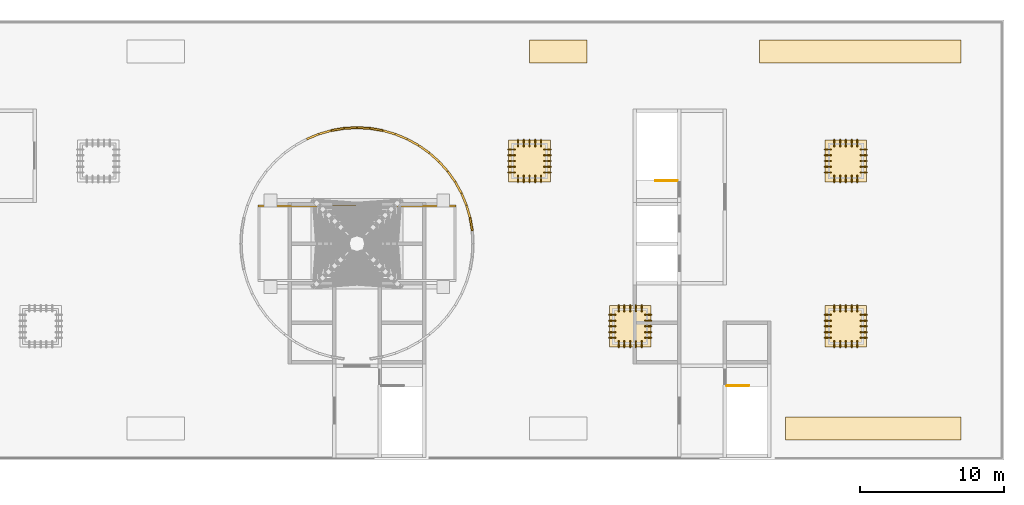
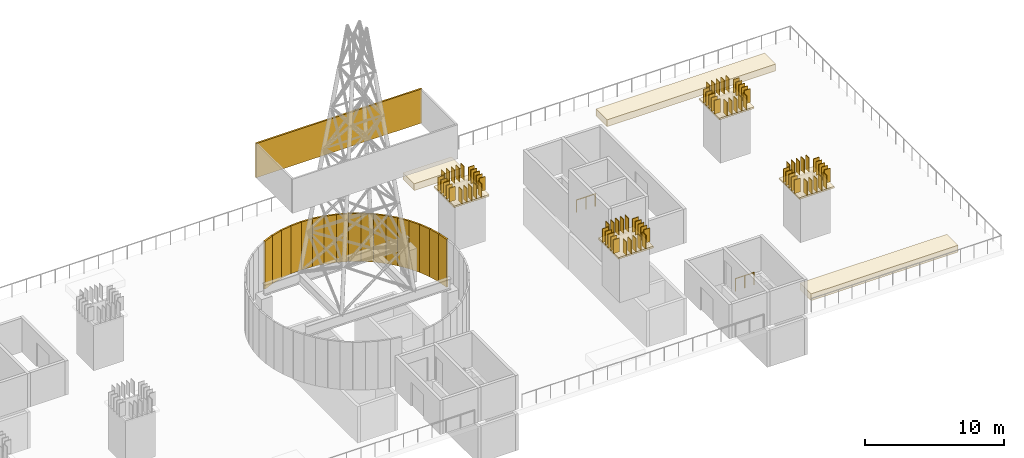
# One storey, part 8 of 8: 105 coverings, 2 railings.
"""IFC4 building model written with IfcOpenShell, lengths in metres."""

from ifc_helpers import new_model, si_unit, direction, frame, origin, origin_2d, place, context, subcontext, project, spatial, polyline, rectangle, circle, outline, extrude, material, layer, layer_set, type_object, element, save


model = new_model("IFC4")

# Units and contexts
model_context = context("Model", 3, precision=1e-05, world=origin(), true_north=direction((0.0, 1.0)))
body_context = subcontext(model_context, "Body", "Model", "MODEL_VIEW")
ifc_project = project(units=[si_unit("LENGTHUNIT", "METRE"), si_unit("AREAUNIT", "SQUARE_METRE"), si_unit("VOLUMEUNIT", "CUBIC_METRE"), si_unit("PLANEANGLEUNIT", "RADIAN"), si_unit("MASSUNIT", "GRAM", prefix="KILO")], contexts=[model_context])

# Site, building, storey
site_placement = place(None, origin())
site = spatial("IfcSite", under=ifc_project, at=site_placement, CompositionType="ELEMENT")
building_placement = place(site_placement, origin())
building = spatial("IfcBuilding", under=site, at=building_placement, Name="Mahtab Terrace Research Tower", CompositionType="ELEMENT")
storey_placement = place(building_placement, frame((0.0, 0.0, 289.699951171875)))
storey = spatial("IfcBuildingStorey", under=building, at=storey_placement, Name="L70", CompositionType="ELEMENT", Elevation=289.699951171875)

# Coverings
ifc_material_1 = material(Name="Badgir blade aluminium", Category="aluminium")
ifc_layer_1 = layer(ifc_material_1, 0.06005859375)
ifc_layer_set_1 = layer_set([ifc_layer_1], Name="Badgir cap blade 60")
covering_type_1 = type_object("IfcCoveringType", Name="Badgir cap blade 60", PredefinedType="CLADDING", material=ifc_layer_set_1)
for number, where, z_axis, x_axis, name in (
    (1, (20.25, -0.800048828125, 4.14990234375), (0.0, 0.0, 1.0), (1.0, 0.0, 0.0), "Badgir cap blade 5"),
    (2, (20.25, -0.39990234375, 4.14990234375), (0.0, 0.0, 1.0), (1.0, 0.0, 0.0), "Badgir cap blade 5"),
    (3, (20.25, 0.0, 4.14990234375), (0.0, 0.0, 1.0), (1.0, 0.0, 0.0), "Badgir cap blade 5"),
    (4, (20.25, 0.39990234375, 4.14990234375), (0.0, 0.0, 1.0), (1.0, 0.0, 0.0), "Badgir cap blade 5"),
    (5, (20.25, 0.800048828125, 4.14990234375), (0.0, 0.0, 1.0), (1.0, 0.0, 0.0), "Badgir cap blade 5"),
    (6, (17.75, -0.800048828125, 4.14990234375), (0.0, 0.0, 1.0), (1.0, 0.0, 0.0), "Badgir cap blade 5"),
    (7, (17.75, -0.39990234375, 4.14990234375), (0.0, 0.0, 1.0), (1.0, 0.0, 0.0), "Badgir cap blade 5"),
    (8, (17.75, 0.0, 4.14990234375), (0.0, 0.0, 1.0), (1.0, 0.0, 0.0), "Badgir cap blade 5"),
    (9, (17.75, 0.39990234375, 4.14990234375), (0.0, 0.0, 1.0), (1.0, 0.0, 0.0), "Badgir cap blade 5"),
    (10, (17.75, 0.800048828125, 4.14990234375), (0.0, 0.0, 1.0), (1.0, 0.0, 0.0), "Badgir cap blade 5"),
):
    element("IfcCovering", number, at=place(storey_placement, frame(where, z_axis=z_axis, x_axis=x_axis)), inside=storey, type_object=covering_type_1, Name=name, PredefinedType="CLADDING", context=body_context, shape_type="SweptSolid", body=[
        extrude(rectangle(XDim=0.5, YDim=0.06005859375, at=origin_2d()), origin(), (0.0, 0.0, 1.0), 1.199951171875),
    ])
for number, where, z_axis, x_axis, name in (
    (11, (18.199951171875, 1.25, 4.14990234375), (0.0, 0.0, 1.0), (1.0, 0.0, 0.0), "Badgir cap blade 5"),
    (12, (18.60009765625, 1.25, 4.14990234375), (0.0, 0.0, 1.0), (1.0, 0.0, 0.0), "Badgir cap blade 5"),
    (13, (19.0, 1.25, 4.14990234375), (0.0, 0.0, 1.0), (1.0, 0.0, 0.0), "Badgir cap blade 5"),
    (14, (19.39990234375, 1.25, 4.14990234375), (0.0, 0.0, 1.0), (1.0, 0.0, 0.0), "Badgir cap blade 5"),
    (15, (19.800048828125, 1.25, 4.14990234375), (0.0, 0.0, 1.0), (1.0, 0.0, 0.0), "Badgir cap blade 5"),
    (16, (18.199951171875, -1.25, 4.14990234375), (0.0, 0.0, 1.0), (1.0, 0.0, 0.0), "Badgir cap blade 5"),
    (17, (18.60009765625, -1.25, 4.14990234375), (0.0, 0.0, 1.0), (1.0, 0.0, 0.0), "Badgir cap blade 5"),
    (18, (19.0, -1.25, 4.14990234375), (0.0, 0.0, 1.0), (1.0, 0.0, 0.0), "Badgir cap blade 5"),
    (19, (19.39990234375, -1.25, 4.14990234375), (0.0, 0.0, 1.0), (1.0, 0.0, 0.0), "Badgir cap blade 5"),
    (20, (19.800048828125, -1.25, 4.14990234375), (0.0, 0.0, 1.0), (1.0, 0.0, 0.0), "Badgir cap blade 5"),
):
    element("IfcCovering", number, at=place(storey_placement, frame(where, z_axis=z_axis, x_axis=x_axis)), inside=storey, type_object=covering_type_1, Name=name, PredefinedType="CLADDING", context=body_context, shape_type="SweptSolid", body=[
        extrude(rectangle(XDim=0.06005859375, YDim=0.5, at=origin_2d()), origin(), (0.0, 0.0, 1.0), 1.199951171875),
    ])
for number, where, z_axis, x_axis, name in (
    (21, (13.25, 10.699951171875, 4.14990234375), (0.0, 0.0, 1.0), (1.0, 0.0, 0.0), "Badgir cap blade 6"),
    (22, (13.25, 11.10009765625, 4.14990234375), (0.0, 0.0, 1.0), (1.0, 0.0, 0.0), "Badgir cap blade 6"),
    (23, (13.25, 11.5, 4.14990234375), (0.0, 0.0, 1.0), (1.0, 0.0, 0.0), "Badgir cap blade 6"),
    (24, (13.25, 11.89990234375, 4.14990234375), (0.0, 0.0, 1.0), (1.0, 0.0, 0.0), "Badgir cap blade 6"),
    (25, (13.25, 12.300048828125, 4.14990234375), (0.0, 0.0, 1.0), (1.0, 0.0, 0.0), "Badgir cap blade 6"),
    (26, (10.75, 10.699951171875, 4.14990234375), (0.0, 0.0, 1.0), (1.0, 0.0, 0.0), "Badgir cap blade 6"),
    (27, (10.75, 11.10009765625, 4.14990234375), (0.0, 0.0, 1.0), (1.0, 0.0, 0.0), "Badgir cap blade 6"),
    (28, (10.75, 11.5, 4.14990234375), (0.0, 0.0, 1.0), (1.0, 0.0, 0.0), "Badgir cap blade 6"),
    (29, (10.75, 11.89990234375, 4.14990234375), (0.0, 0.0, 1.0), (1.0, 0.0, 0.0), "Badgir cap blade 6"),
    (30, (10.75, 12.300048828125, 4.14990234375), (0.0, 0.0, 1.0), (1.0, 0.0, 0.0), "Badgir cap blade 6"),
):
    element("IfcCovering", number, at=place(storey_placement, frame(where, z_axis=z_axis, x_axis=x_axis)), inside=storey, type_object=covering_type_1, Name=name, PredefinedType="CLADDING", context=body_context, shape_type="SweptSolid", body=[
        extrude(rectangle(XDim=0.5, YDim=0.06005859375, at=origin_2d()), origin(), (0.0, 0.0, 1.0), 1.199951171875),
    ])
for number, where, z_axis, x_axis, name in (
    (31, (11.199951171875, 12.75, 4.14990234375), (0.0, 0.0, 1.0), (1.0, 0.0, 0.0), "Badgir cap blade 6"),
    (32, (11.60009765625, 12.75, 4.14990234375), (0.0, 0.0, 1.0), (1.0, 0.0, 0.0), "Badgir cap blade 6"),
    (33, (12.0, 12.75, 4.14990234375), (0.0, 0.0, 1.0), (1.0, 0.0, 0.0), "Badgir cap blade 6"),
    (34, (12.39990234375, 12.75, 4.14990234375), (0.0, 0.0, 1.0), (1.0, 0.0, 0.0), "Badgir cap blade 6"),
    (35, (12.800048828125, 12.75, 4.14990234375), (0.0, 0.0, 1.0), (1.0, 0.0, 0.0), "Badgir cap blade 6"),
    (36, (11.199951171875, 10.25, 4.14990234375), (0.0, 0.0, 1.0), (1.0, 0.0, 0.0), "Badgir cap blade 6"),
    (37, (11.60009765625, 10.25, 4.14990234375), (0.0, 0.0, 1.0), (1.0, 0.0, 0.0), "Badgir cap blade 6"),
    (38, (12.0, 10.25, 4.14990234375), (0.0, 0.0, 1.0), (1.0, 0.0, 0.0), "Badgir cap blade 6"),
    (39, (12.39990234375, 10.25, 4.14990234375), (0.0, 0.0, 1.0), (1.0, 0.0, 0.0), "Badgir cap blade 6"),
    (40, (12.800048828125, 10.25, 4.14990234375), (0.0, 0.0, 1.0), (1.0, 0.0, 0.0), "Badgir cap blade 6"),
):
    element("IfcCovering", number, at=place(storey_placement, frame(where, z_axis=z_axis, x_axis=x_axis)), inside=storey, type_object=covering_type_1, Name=name, PredefinedType="CLADDING", context=body_context, shape_type="SweptSolid", body=[
        extrude(rectangle(XDim=0.06005859375, YDim=0.5, at=origin_2d()), origin(), (0.0, 0.0, 1.0), 1.199951171875),
    ])
for number, where, z_axis, x_axis, name in (
    (41, (35.25, -0.800048828125, 4.14990234375), (0.0, 0.0, 1.0), (1.0, 0.0, 0.0), "Badgir cap blade 7"),
    (42, (35.25, -0.39990234375, 4.14990234375), (0.0, 0.0, 1.0), (1.0, 0.0, 0.0), "Badgir cap blade 7"),
    (43, (35.25, 0.0, 4.14990234375), (0.0, 0.0, 1.0), (1.0, 0.0, 0.0), "Badgir cap blade 7"),
    (44, (35.25, 0.39990234375, 4.14990234375), (0.0, 0.0, 1.0), (1.0, 0.0, 0.0), "Badgir cap blade 7"),
    (45, (35.25, 0.800048828125, 4.14990234375), (0.0, 0.0, 1.0), (1.0, 0.0, 0.0), "Badgir cap blade 7"),
    (46, (32.75, -0.800048828125, 4.14990234375), (0.0, 0.0, 1.0), (1.0, 0.0, 0.0), "Badgir cap blade 7"),
    (47, (32.75, -0.39990234375, 4.14990234375), (0.0, 0.0, 1.0), (1.0, 0.0, 0.0), "Badgir cap blade 7"),
    (48, (32.75, 0.0, 4.14990234375), (0.0, 0.0, 1.0), (1.0, 0.0, 0.0), "Badgir cap blade 7"),
    (49, (32.75, 0.39990234375, 4.14990234375), (0.0, 0.0, 1.0), (1.0, 0.0, 0.0), "Badgir cap blade 7"),
    (50, (32.75, 0.800048828125, 4.14990234375), (0.0, 0.0, 1.0), (1.0, 0.0, 0.0), "Badgir cap blade 7"),
):
    element("IfcCovering", number, at=place(storey_placement, frame(where, z_axis=z_axis, x_axis=x_axis)), inside=storey, type_object=covering_type_1, Name=name, PredefinedType="CLADDING", context=body_context, shape_type="SweptSolid", body=[
        extrude(rectangle(XDim=0.5, YDim=0.06005859375, at=origin_2d()), origin(), (0.0, 0.0, 1.0), 1.199951171875),
    ])
for number, where, z_axis, x_axis, name in (
    (51, (33.199951171875, 1.25, 4.14990234375), (0.0, 0.0, 1.0), (1.0, 0.0, 0.0), "Badgir cap blade 7"),
    (52, (33.60009765625, 1.25, 4.14990234375), (0.0, 0.0, 1.0), (1.0, 0.0, 0.0), "Badgir cap blade 7"),
    (53, (34.0, 1.25, 4.14990234375), (0.0, 0.0, 1.0), (1.0, 0.0, 0.0), "Badgir cap blade 7"),
    (54, (34.39990234375, 1.25, 4.14990234375), (0.0, 0.0, 1.0), (1.0, 0.0, 0.0), "Badgir cap blade 7"),
    (55, (34.800048828125, 1.25, 4.14990234375), (0.0, 0.0, 1.0), (1.0, 0.0, 0.0), "Badgir cap blade 7"),
    (56, (33.199951171875, -1.25, 4.14990234375), (0.0, 0.0, 1.0), (1.0, 0.0, 0.0), "Badgir cap blade 7"),
    (57, (33.60009765625, -1.25, 4.14990234375), (0.0, 0.0, 1.0), (1.0, 0.0, 0.0), "Badgir cap blade 7"),
    (58, (34.0, -1.25, 4.14990234375), (0.0, 0.0, 1.0), (1.0, 0.0, 0.0), "Badgir cap blade 7"),
    (59, (34.39990234375, -1.25, 4.14990234375), (0.0, 0.0, 1.0), (1.0, 0.0, 0.0), "Badgir cap blade 7"),
    (60, (34.800048828125, -1.25, 4.14990234375), (0.0, 0.0, 1.0), (1.0, 0.0, 0.0), "Badgir cap blade 7"),
):
    element("IfcCovering", number, at=place(storey_placement, frame(where, z_axis=z_axis, x_axis=x_axis)), inside=storey, type_object=covering_type_1, Name=name, PredefinedType="CLADDING", context=body_context, shape_type="SweptSolid", body=[
        extrude(rectangle(XDim=0.06005859375, YDim=0.5, at=origin_2d()), origin(), (0.0, 0.0, 1.0), 1.199951171875),
    ])
for number, where, z_axis, x_axis, name in (
    (61, (35.25, 10.699951171875, 4.14990234375), (0.0, 0.0, 1.0), (1.0, 0.0, 0.0), "Badgir cap blade 8"),
    (62, (35.25, 11.10009765625, 4.14990234375), (0.0, 0.0, 1.0), (1.0, 0.0, 0.0), "Badgir cap blade 8"),
    (63, (35.25, 11.5, 4.14990234375), (0.0, 0.0, 1.0), (1.0, 0.0, 0.0), "Badgir cap blade 8"),
    (64, (35.25, 11.89990234375, 4.14990234375), (0.0, 0.0, 1.0), (1.0, 0.0, 0.0), "Badgir cap blade 8"),
    (65, (35.25, 12.300048828125, 4.14990234375), (0.0, 0.0, 1.0), (1.0, 0.0, 0.0), "Badgir cap blade 8"),
    (66, (32.75, 10.699951171875, 4.14990234375), (0.0, 0.0, 1.0), (1.0, 0.0, 0.0), "Badgir cap blade 8"),
    (67, (32.75, 11.10009765625, 4.14990234375), (0.0, 0.0, 1.0), (1.0, 0.0, 0.0), "Badgir cap blade 8"),
    (68, (32.75, 11.5, 4.14990234375), (0.0, 0.0, 1.0), (1.0, 0.0, 0.0), "Badgir cap blade 8"),
    (69, (32.75, 11.89990234375, 4.14990234375), (0.0, 0.0, 1.0), (1.0, 0.0, 0.0), "Badgir cap blade 8"),
    (70, (32.75, 12.300048828125, 4.14990234375), (0.0, 0.0, 1.0), (1.0, 0.0, 0.0), "Badgir cap blade 8"),
):
    element("IfcCovering", number, at=place(storey_placement, frame(where, z_axis=z_axis, x_axis=x_axis)), inside=storey, type_object=covering_type_1, Name=name, PredefinedType="CLADDING", context=body_context, shape_type="SweptSolid", body=[
        extrude(rectangle(XDim=0.5, YDim=0.06005859375, at=origin_2d()), origin(), (0.0, 0.0, 1.0), 1.199951171875),
    ])
for number, where, z_axis, x_axis, name in (
    (71, (33.199951171875, 12.75, 4.14990234375), (0.0, 0.0, 1.0), (1.0, 0.0, 0.0), "Badgir cap blade 8"),
    (72, (33.60009765625, 12.75, 4.14990234375), (0.0, 0.0, 1.0), (1.0, 0.0, 0.0), "Badgir cap blade 8"),
    (73, (34.0, 12.75, 4.14990234375), (0.0, 0.0, 1.0), (1.0, 0.0, 0.0), "Badgir cap blade 8"),
    (74, (34.39990234375, 12.75, 4.14990234375), (0.0, 0.0, 1.0), (1.0, 0.0, 0.0), "Badgir cap blade 8"),
    (75, (34.800048828125, 12.75, 4.14990234375), (0.0, 0.0, 1.0), (1.0, 0.0, 0.0), "Badgir cap blade 8"),
    (76, (33.199951171875, 10.25, 4.14990234375), (0.0, 0.0, 1.0), (1.0, 0.0, 0.0), "Badgir cap blade 8"),
    (77, (33.60009765625, 10.25, 4.14990234375), (0.0, 0.0, 1.0), (1.0, 0.0, 0.0), "Badgir cap blade 8"),
    (78, (34.0, 10.25, 4.14990234375), (0.0, 0.0, 1.0), (1.0, 0.0, 0.0), "Badgir cap blade 8"),
    (79, (34.39990234375, 10.25, 4.14990234375), (0.0, 0.0, 1.0), (1.0, 0.0, 0.0), "Badgir cap blade 8"),
    (80, (34.800048828125, 10.25, 4.14990234375), (0.0, 0.0, 1.0), (1.0, 0.0, 0.0), "Badgir cap blade 8"),
):
    element("IfcCovering", number, at=place(storey_placement, frame(where, z_axis=z_axis, x_axis=x_axis)), inside=storey, type_object=covering_type_1, Name=name, PredefinedType="CLADDING", context=body_context, shape_type="SweptSolid", body=[
        extrude(rectangle(XDim=0.06005859375, YDim=0.5, at=origin_2d()), origin(), (0.0, 0.0, 1.0), 1.199951171875),
    ])
ifc_material_2 = material(Name="Natural anodised aluminium", Category="aluminium")
covering_type_2 = type_object("IfcCoveringType", Name="Plant storey louvre bay", PredefinedType="CLADDING", material=ifc_material_2)
covering_1_placement = place(storey_placement, frame((0.0, 8.37890625, 13.800048828125), z_axis=(0.0, 0.0, 1.0), x_axis=(1.0, 0.0, 0.0)))
element("IfcCovering", 81, at=covering_1_placement, inside=storey, type_object=covering_type_2, Name="Finial lantern louvre N", PredefinedType="CLADDING", context=body_context, shape_type="SweptSolid", body=[
    extrude(rectangle(XDim=13.76806640625, YDim=0.139892578125, at=origin_2d()), origin(), (0.0, 0.0, 1.0), 3.0),
])
covering_2_placement = place(storey_placement, frame((7.943603515625, 7.099853515625, 0.0), z_axis=(0.0, 0.0, 1.0), x_axis=(-0.168375741964, 0.985722886778, 0.0)))
element("IfcCovering", 82, at=covering_2_placement, inside=storey, type_object=covering_type_2, Name="Plant drum louvre 1", PredefinedType="CLADDING", context=body_context, shape_type="SweptSolid", body=[
    extrude(rectangle(XDim=0.896728515625, YDim=0.139892578125, at=origin_2d()), origin(), (0.0, 0.0, 1.0), 4.199951171875),
])
covering_3_placement = place(storey_placement, frame((7.7421875, 7.98046875, 0.0), z_axis=(0.0, 0.0, 1.0), x_axis=(-0.276487626945, 0.961017477545, 0.0)))
element("IfcCovering", 83, at=covering_3_placement, inside=storey, type_object=covering_type_2, Name="Plant drum louvre 2", PredefinedType="CLADDING", context=body_context, shape_type="SweptSolid", body=[
    extrude(rectangle(XDim=0.89697265625, YDim=0.139892578125, at=origin_2d()), origin(), (0.0, 0.0, 1.0), 4.199951171875),
])
covering_4_placement = place(storey_placement, frame((7.444091796875, 8.833251953125, 0.0), z_axis=(0.0, 0.0, 1.0), x_axis=(-0.38231897589, 0.92403041112, 0.0)))
element("IfcCovering", 84, at=covering_4_placement, inside=storey, type_object=covering_type_2, Name="Plant drum louvre 3", PredefinedType="CLADDING", context=body_context, shape_type="SweptSolid", body=[
    extrude(rectangle(XDim=0.897216796875, YDim=0.139892578125, at=origin_2d()), origin(), (0.0, 0.0, 1.0), 4.199951171875),
])
covering_5_placement = place(storey_placement, frame((7.05224609375, 9.6474609375, 0.0), z_axis=(0.0, 0.0, 1.0), x_axis=(-0.483843424408, 0.875154581007, 0.0)))
element("IfcCovering", 85, at=covering_5_placement, inside=storey, type_object=covering_type_2, Name="Plant drum louvre 4", PredefinedType="CLADDING", context=body_context, shape_type="SweptSolid", body=[
    extrude(rectangle(XDim=0.89697265625, YDim=0.139892578125, at=origin_2d()), origin(), (0.0, 0.0, 1.0), 4.199951171875),
])
for number, where, z_axis, x_axis, name in (
    (86, (6.571533203125, 10.41259765625, 0.0), (0.0, 0.0, 1.0), (-0.578388327694, 0.815761572022, 0.0), "Plant drum louvre 5"),
    (87, (6.00830078125, 11.119140625, 0.0), (0.0, 0.0, 1.0), (-0.66643644635, 0.74556184383, 0.0), "Plant drum louvre 6"),
    (88, (5.369140625, 11.75830078125, 0.0), (0.0, 0.0, 1.0), (-0.74556184383, 0.66643644635, 0.0), "Plant drum louvre 7"),
    (89, (4.66259765625, 12.321533203125, 0.0), (0.0, 0.0, 1.0), (-0.815761572022, 0.578388327694, 0.0), "Plant drum louvre 8"),
):
    element("IfcCovering", number, at=place(storey_placement, frame(where, z_axis=z_axis, x_axis=x_axis)), inside=storey, type_object=covering_type_2, Name=name, PredefinedType="CLADDING", context=body_context, shape_type="SweptSolid", body=[
        extrude(rectangle(XDim=0.897216796875, YDim=0.139892578125, at=origin_2d()), origin(), (0.0, 0.0, 1.0), 4.199951171875),
    ])
covering_6_placement = place(storey_placement, frame((3.8974609375, 12.80224609375, 0.0), z_axis=(0.0, 0.0, 1.0), x_axis=(-0.875154581007, 0.483843424408, 0.0)))
element("IfcCovering", 90, at=covering_6_placement, inside=storey, type_object=covering_type_2, Name="Plant drum louvre 9", PredefinedType="CLADDING", context=body_context, shape_type="SweptSolid", body=[
    extrude(rectangle(XDim=0.89697265625, YDim=0.139892578125, at=origin_2d()), origin(), (0.0, 0.0, 1.0), 4.199951171875),
])
covering_7_placement = place(storey_placement, frame((3.083251953125, 13.194091796875, 0.0), z_axis=(0.0, 0.0, 1.0), x_axis=(-0.92403041112, 0.38231897589, 0.0)))
element("IfcCovering", 91, at=covering_7_placement, inside=storey, type_object=covering_type_2, Name="Plant drum louvre 10", PredefinedType="CLADDING", context=body_context, shape_type="SweptSolid", body=[
    extrude(rectangle(XDim=0.897216796875, YDim=0.139892578125, at=origin_2d()), origin(), (0.0, 0.0, 1.0), 4.199951171875),
])
covering_8_placement = place(storey_placement, frame((2.23046875, 13.4921875, 0.0), z_axis=(0.0, 0.0, 1.0), x_axis=(-0.961017477545, 0.276487626945, 0.0)))
element("IfcCovering", 92, at=covering_8_placement, inside=storey, type_object=covering_type_2, Name="Plant drum louvre 11", PredefinedType="CLADDING", context=body_context, shape_type="SweptSolid", body=[
    extrude(rectangle(XDim=0.89697265625, YDim=0.139892578125, at=origin_2d()), origin(), (0.0, 0.0, 1.0), 4.199951171875),
])
covering_9_placement = place(storey_placement, frame((1.349853515625, 13.693603515625, 0.0), z_axis=(0.0, 0.0, 1.0), x_axis=(-0.985722886778, 0.168375741964, 0.0)))
element("IfcCovering", 93, at=covering_9_placement, inside=storey, type_object=covering_type_2, Name="Plant drum louvre 12", PredefinedType="CLADDING", context=body_context, shape_type="SweptSolid", body=[
    extrude(rectangle(XDim=0.896728515625, YDim=0.139892578125, at=origin_2d()), origin(), (0.0, 0.0, 1.0), 4.199951171875),
])
for number, where, z_axis, x_axis, name in (
    (94, (0.451904296875, 13.794921875, 0.0), (0.0, 0.0, 1.0), (-0.99844660776, 0.055716886596, 0.0), "Plant drum louvre 13"),
    (95, (-0.451904296875, 13.794921875, 0.0), (0.0, 0.0, 1.0), (-0.99844660776, -0.055716886596, 0.0), "Plant drum louvre 14"),
):
    element("IfcCovering", number, at=place(storey_placement, frame(where, z_axis=z_axis, x_axis=x_axis)), inside=storey, type_object=covering_type_2, Name=name, PredefinedType="CLADDING", context=body_context, shape_type="SweptSolid", body=[
        extrude(rectangle(XDim=0.8974609375, YDim=0.139892578125, at=origin_2d()), origin(), (0.0, 0.0, 1.0), 4.199951171875),
    ])
covering_10_placement = place(storey_placement, frame((-1.349853515625, 13.693603515625, 0.0), z_axis=(0.0, 0.0, 1.0), x_axis=(-0.985722886778, -0.168375741964, 0.0)))
element("IfcCovering", 96, at=covering_10_placement, inside=storey, type_object=covering_type_2, Name="Plant drum louvre 15", PredefinedType="CLADDING", context=body_context, shape_type="SweptSolid", body=[
    extrude(rectangle(XDim=0.896728515625, YDim=0.139892578125, at=origin_2d()), origin(), (0.0, 0.0, 1.0), 4.199951171875),
])
covering_11_placement = place(storey_placement, frame((-2.23046875, 13.4921875, 0.0), z_axis=(0.0, 0.0, 1.0), x_axis=(-0.961017477545, -0.276487626945, 0.0)))
element("IfcCovering", 97, at=covering_11_placement, inside=storey, type_object=covering_type_2, Name="Plant drum louvre 16", PredefinedType="CLADDING", context=body_context, shape_type="SweptSolid", body=[
    extrude(rectangle(XDim=0.89697265625, YDim=0.139892578125, at=origin_2d()), origin(), (0.0, 0.0, 1.0), 4.199951171875),
])
covering_12_placement = place(storey_placement, frame((-3.083251953125, 13.194091796875, 0.0), z_axis=(0.0, 0.0, 1.0), x_axis=(-0.92403041112, -0.38231897589, 0.0)))
element("IfcCovering", 98, at=covering_12_placement, inside=storey, type_object=covering_type_2, Name="Plant drum louvre 17", PredefinedType="CLADDING", context=body_context, shape_type="SweptSolid", body=[
    extrude(rectangle(XDim=0.897216796875, YDim=0.139892578125, at=origin_2d()), origin(), (0.0, 0.0, 1.0), 4.199951171875),
])
covering_13_placement = place(storey_placement, frame((0.0, 0.0, 4.0)))
element("IfcCovering", 99, at=covering_13_placement, inside=storey, type_object=covering_type_2, Name="Badgir stack louvre cap 5", PredefinedType="CLADDING", context=body_context, shape_type="SweptSolid", body=[
    extrude(outline(polyline([(20.449951171875, -1.449951171875), (20.449951171875, 1.449951171875), (17.550048828125, 1.449951171875), (17.550048828125, -1.449951171875), (20.449951171875, -1.449951171875)])), origin(), (0.0, 0.0, 1.0), 0.150146484375),
])
covering_14_placement = place(storey_placement, frame((0.0, 0.0, 4.0)))
element("IfcCovering", 100, at=covering_14_placement, inside=storey, type_object=covering_type_2, Name="Badgir stack louvre cap 6", PredefinedType="CLADDING", context=body_context, shape_type="SweptSolid", body=[
    extrude(outline(polyline([(13.449951171875, 10.050048828125), (13.449951171875, 12.949951171875), (10.550048828125, 12.949951171875), (10.550048828125, 10.050048828125), (13.449951171875, 10.050048828125)])), origin(), (0.0, 0.0, 1.0), 0.150146484375),
])
covering_15_placement = place(storey_placement, frame((0.0, 0.0, 4.0)))
element("IfcCovering", 101, at=covering_15_placement, inside=storey, type_object=covering_type_2, Name="Badgir stack louvre cap 7", PredefinedType="CLADDING", context=body_context, shape_type="SweptSolid", body=[
    extrude(outline(polyline([(35.449951171875, -1.449951171875), (35.449951171875, 1.449951171875), (32.550048828125, 1.449951171875), (32.550048828125, -1.449951171875), (35.449951171875, -1.449951171875)])), origin(), (0.0, 0.0, 1.0), 0.150146484375),
])
covering_16_placement = place(storey_placement, frame((0.0, 0.0, 4.0)))
element("IfcCovering", 102, at=covering_16_placement, inside=storey, type_object=covering_type_2, Name="Badgir stack louvre cap 8", PredefinedType="CLADDING", context=body_context, shape_type="SweptSolid", body=[
    extrude(outline(polyline([(35.449951171875, 10.050048828125), (35.449951171875, 12.949951171875), (32.550048828125, 12.949951171875), (32.550048828125, 10.050048828125), (35.449951171875, 10.050048828125)])), origin(), (0.0, 0.0, 1.0), 0.150146484375),
])
ifc_material_3 = material(Name="Planting soil and shrubs")
ifc_layer_2 = layer(ifc_material_3, 0.1201171875)
ifc_layer_set_2 = layer_set([ifc_layer_2], Name="Planter")
covering_type_3 = type_object("IfcCoveringType", Name="Planter", PredefinedType="USERDEFINED", material=ifc_layer_set_2)
covering_17_placement = place(storey_placement, frame((35.89990234375, -7.10693359375, 0.0), z_axis=(0.0, 0.0, 1.0), x_axis=(1.0, 0.0, 0.0)))
element("IfcCovering", 103, at=covering_17_placement, inside=storey, type_object=covering_type_3, Name="PLANTER roof strip", ObjectType="PLANTER", PredefinedType="USERDEFINED", context=body_context, shape_type="SweptSolid", body=[
    extrude(rectangle(XDim=12.199951171875, YDim=1.60009765625, at=origin_2d()), origin(), (0.0, 0.0, 1.0), 0.60009765625),
])
covering_18_placement = place(storey_placement, frame((14.0, 19.10693359375, 0.0), z_axis=(0.0, 0.0, 1.0), x_axis=(1.0, 0.0, 0.0)))
element("IfcCovering", 104, at=covering_18_placement, inside=storey, type_object=covering_type_3, Name="PLANTER roof strip", ObjectType="PLANTER", PredefinedType="USERDEFINED", context=body_context, shape_type="SweptSolid", body=[
    extrude(rectangle(XDim=4.0, YDim=1.60009765625, at=origin_2d()), origin(), (0.0, 0.0, 1.0), 0.60009765625),
])
covering_19_placement = place(storey_placement, frame((35.0, 19.10693359375, 0.0), z_axis=(0.0, 0.0, 1.0), x_axis=(1.0, 0.0, 0.0)))
element("IfcCovering", 105, at=covering_19_placement, inside=storey, type_object=covering_type_3, Name="PLANTER roof strip", ObjectType="PLANTER", PredefinedType="USERDEFINED", context=body_context, shape_type="SweptSolid", body=[
    extrude(rectangle(XDim=14.0, YDim=1.60009765625, at=origin_2d()), origin(), (0.0, 0.0, 1.0), 0.60009765625),
])

# Railings
ifc_material_4 = material(Name="Stainless steel AISI 304", Category="steel")
railing_type = type_object("IfcRailingType", Name="Stair guard 1100", PredefinedType="GUARDRAIL", material=ifc_material_4)
railing_1_placement = place(storey_placement, frame((22.300048828125, 10.125, 0.0)))
element("IfcRailing", 106, at=railing_1_placement, inside=storey, type_object=railing_type, Name="L70 ST3 top well guard 1", PredefinedType="GUARDRAIL", context=body_context, shape_type="SweptSolid", body=[
    extrude(circle(Radius=0.02392578125, at=origin_2d()), frame((0.0, 0.0, 1.076171875), z_axis=(-1.0, 0.0, 0.0), x_axis=(0.0, -1.0, 0.0)), (0.0, 0.0, 1.0), 1.550048828125),
    extrude(circle(Radius=0.02099609375, at=origin_2d()), origin(), (0.0, 0.0, 1.0), 1.052001953125),
    extrude(circle(Radius=0.02099609375, at=origin_2d()), frame((-0.77490234375, 0.0, 0.0)), (0.0, 0.0, 1.0), 1.052001953125),
    extrude(circle(Radius=0.02099609375, at=origin_2d()), frame((-1.550048828125, 0.0, 0.0)), (0.0, 0.0, 1.0), 1.052001953125),
])
railing_2_placement = place(storey_placement, frame((25.699951171875, -4.125, 0.0)))
element("IfcRailing", 107, at=railing_2_placement, inside=storey, type_object=railing_type, Name="L70 ST4 top well guard 1", PredefinedType="GUARDRAIL", context=body_context, shape_type="SweptSolid", body=[
    extrude(circle(Radius=0.02392578125, at=origin_2d()), frame((0.0, 0.0, 1.076171875), z_axis=(1.0, 0.0, 0.0), x_axis=(0.0, 1.0, 0.0)), (0.0, 0.0, 1.0), 1.550048828125),
    extrude(circle(Radius=0.02099609375, at=origin_2d()), origin(), (0.0, 0.0, 1.0), 1.052001953125),
    extrude(circle(Radius=0.02099609375, at=origin_2d()), frame((0.77490234375, 0.0, 0.0)), (0.0, 0.0, 1.0), 1.052001953125),
    extrude(circle(Radius=0.02099609375, at=origin_2d()), frame((1.550048828125, 0.0, 0.0)), (0.0, 0.0, 1.0), 1.052001953125),
])

save(model, "model.ifc")
